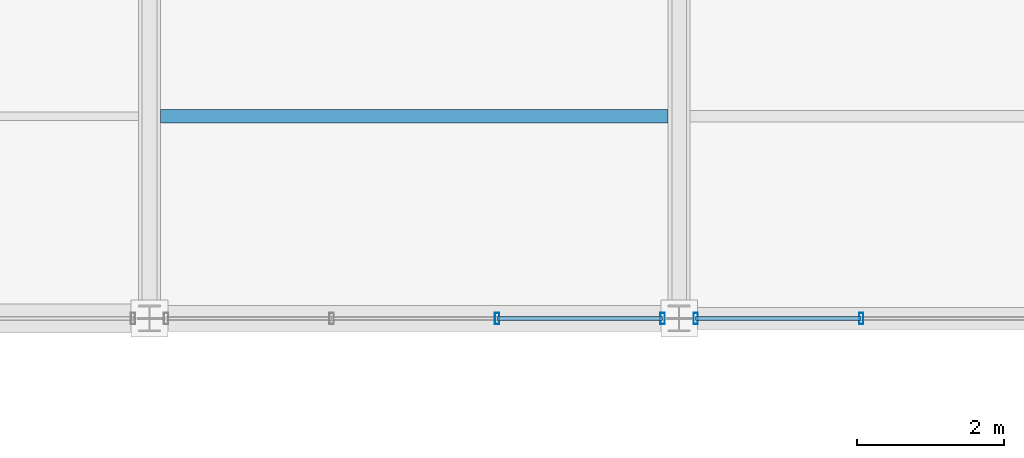
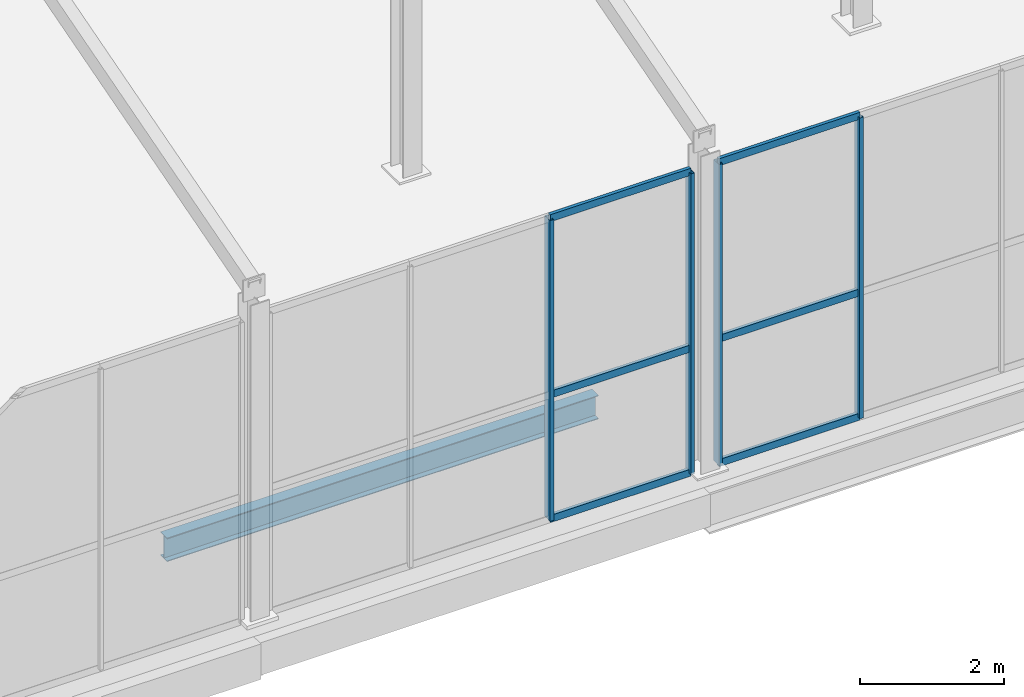
# One storey, part 25 of 141: 10 members, 1 beam, 2 elements without a shape of their own.
"""IFC4 building model written with IfcOpenShell, lengths in metres."""

import ifcopenshell
import ifcopenshell.guid

model = None  # the IFC model being written
_history = None  # IfcOwnerHistory: only IFC2X3 demands one
_inside = {}  # id of a spatial element -> (the spatial element, [elements in it])
_under = {}  # id of a project, library or spatial element -> (it, [spatial elements below it])
_declared = {}  # id of a project -> (the project, [libraries it declares])
_typed = {}  # id of a type object -> (the type object, [elements of that type])
_made_of = {}  # id of a material, layer set ... -> (it, [elements and type objects made of it])


def new_model(schema):
    """Start an empty IFC model of exactly this schema.

    Asked for "IFC4X3", IfcOpenShell would pick the latest addendum, in which some entities
    have other attributes; the version numbers below select the first issue.
    IFC2X3 requires an IfcOwnerHistory on every rooted entity: one is made here for all.
    """
    global model, _history
    if schema == "IFC4X3":
        model = ifcopenshell.file(schema_version=(4, 3, 0, 0))
    else:
        model = ifcopenshell.file(schema=schema)
    _inside.clear()
    _under.clear()
    _declared.clear()
    _typed.clear()
    _made_of.clear()
    _history = None
    if model.schema == "IFC2X3":
        org = make("IfcOrganization", Name="unknown")
        user = make(
            "IfcPersonAndOrganization",
            ThePerson=make("IfcPerson", FamilyName="unknown"),
            TheOrganization=org,
        )
        app = make(
            "IfcApplication",
            ApplicationDeveloper=org,
            Version="unknown",
            ApplicationFullName="unknown",
            ApplicationIdentifier="unknown",
        )
        _history = make(
            "IfcOwnerHistory",
            OwningUser=user,
            OwningApplication=app,
            ChangeAction="ADDED",
            CreationDate=0,
        )
    return model


def make(cls, **values):
    """One entity of the class cls with the attributes given. An attribute that is None is left unset."""
    return model.create_entity(
        cls, **{name: value for name, value in values.items() if value is not None}
    )


def rooted(cls, **values):
    """An entity with a GlobalId (a new one), such as an element, a storey or a relation."""
    return make(cls, GlobalId=ifcopenshell.guid.new(), OwnerHistory=_history, **values)


def si_unit(unit_type, name, prefix=None):
    """IfcSIUnit, for example si_unit("LENGTHUNIT", "METRE", prefix="MILLI")."""
    return make("IfcSIUnit", UnitType=unit_type, Prefix=prefix, Name=name)


def assignment(units):
    """IfcUnitAssignment: the units of a project."""
    return None if units is None else make("IfcUnitAssignment", Units=units)


def point(xyz):
    """IfcCartesianPoint."""
    return None if xyz is None else make("IfcCartesianPoint", Coordinates=xyz)


def direction(xyz):
    """IfcDirection."""
    return None if xyz is None else make("IfcDirection", DirectionRatios=xyz)


def frame(location, z_axis=None, x_axis=None):
    """IfcAxis2Placement3D, a coordinate frame: its origin and axes. An axis left out is left unset."""
    return make(
        "IfcAxis2Placement3D",
        Location=point(location),
        Axis=direction(z_axis),
        RefDirection=direction(x_axis),
    )


def frame_2d(location, x_axis=None):
    """IfcAxis2Placement2D, a coordinate frame in the plane: its origin and x axis."""
    return make(
        "IfcAxis2Placement2D", Location=point(location), RefDirection=direction(x_axis)
    )


def origin():
    """The frame at (0, 0, 0) with its axes left unset."""
    return frame((0.0, 0.0, 0.0))


def origin_2d():
    """The frame at (0, 0) in the plane with its x axis left unset."""
    return frame_2d((0.0, 0.0))


def place(relative_to, where):
    """IfcLocalPlacement: puts the frame where relative to a parent placement (None: the world)."""
    return make(
        "IfcLocalPlacement", PlacementRelTo=relative_to, RelativePlacement=where
    )


def context(
    kind, dimensions, precision=None, world=None, true_north=None, identifier=None
):
    """IfcGeometricRepresentationContext, for example the 3D "Model" context."""
    return make(
        "IfcGeometricRepresentationContext",
        ContextIdentifier=identifier,
        ContextType=kind,
        CoordinateSpaceDimension=dimensions,
        Precision=precision,
        WorldCoordinateSystem=world,
        TrueNorth=true_north,
    )


def subcontext(parent, identifier, kind, view, scale=None):
    """IfcGeometricRepresentationSubContext, for example "Body" below "Model"."""
    return make(
        "IfcGeometricRepresentationSubContext",
        ContextIdentifier=identifier,
        ContextType=kind,
        ParentContext=parent,
        TargetScale=scale,
        TargetView=view,
    )


def project(units=None, contexts=None):
    """IfcProject with its units and contexts."""
    return rooted(
        "IfcProject",
        Name="project",
        RepresentationContexts=contexts,
        UnitsInContext=assignment(units),
    )


def spatial(cls, under=None, at=None, **own):
    """A site, building, storey or space (cls), placed at a placement, below another one or the project."""
    s = rooted(cls, ObjectPlacement=at, **own)
    if under is not None:
        _under.setdefault(under.id(), (under, []))[1].append(s)
    return s


def profile(cls, at=None, kind="AREA", **sizes):
    """A parametric profile (cls). Its sizes go by their IFC names, for example OverallWidth=200.0."""
    return make(cls, ProfileType=kind, Position=at, **sizes)


def hollow_rectangle(**sizes):
    """IfcRectangleHollowProfileDef."""
    return profile("IfcRectangleHollowProfileDef", **sizes)


def i_section(**sizes):
    """IfcIShapeProfileDef."""
    return profile("IfcIShapeProfileDef", **sizes)


def extrude(swept, where, along, depth):
    """IfcExtrudedAreaSolid: the profile swept, set in the frame where, extruded along a direction by depth."""
    return make(
        "IfcExtrudedAreaSolid",
        SweptArea=swept,
        Position=where,
        ExtrudedDirection=direction(along),
        Depth=depth,
    )


def shape(context_of_items, identifier, shape_type, items):
    """IfcShapeRepresentation: the items that make up one representation, for example the "Body"."""
    return make(
        "IfcShapeRepresentation",
        ContextOfItems=context_of_items,
        RepresentationIdentifier=identifier,
        RepresentationType=shape_type,
        Items=items,
    )


def material(Name=None, Category=None):
    """IfcMaterial."""
    return make("IfcMaterial", Name=Name, Category=Category)


def layer(
    of_material, thickness, ventilated=None, Name=None, Category=None, Priority=None
):
    """IfcMaterialLayer: one layer of a wall or slab, of a material (None: an air gap)."""
    return make(
        "IfcMaterialLayer",
        Material=of_material,
        LayerThickness=thickness,
        IsVentilated=ventilated,
        Name=Name,
        Category=Category,
        Priority=Priority,
    )


def layer_set(layers, Name=None):
    """IfcMaterialLayerSet."""
    return make("IfcMaterialLayerSet", MaterialLayers=layers, LayerSetName=Name)


def material_profile(
    of_material, cross_section, Name=None, Category=None, Priority=None
):
    """IfcMaterialProfile: a cross section and its material."""
    return make(
        "IfcMaterialProfile",
        Name=Name,
        Material=of_material,
        Profile=cross_section,
        Priority=Priority,
        Category=Category,
    )


def profile_set(profiles, Name=None, composite=None):
    """IfcMaterialProfileSet."""
    return make(
        "IfcMaterialProfileSet",
        Name=Name,
        MaterialProfiles=profiles,
        CompositeProfile=composite,
    )


def made_of(thing, what):
    """Note that an element or type object is made of a material, layer set ...; save() writes the relation."""
    if what is not None:
        _made_of.setdefault(what.id(), (what, []))[1].append(thing)
    return thing


def type_object(cls, material=None, **own):
    """A type object (cls), such as IfcWallType, which elements share."""
    return made_of(rooted(cls, **own), material)


def element(
    cls,
    number,
    at=None,
    inside=None,
    cuts=None,
    type_object=None,
    material=None,
    context=None,
    identifier="Body",
    shape_type=None,
    held_by="IfcProductDefinitionShape",
    body=None,
    shapes=None,
    **own,
):
    """One element of the class cls, such as IfcWall. Its Tag is "e" and its number.

    at: its placement. inside: the storey or other place that contains it. cuts: it is an
    opening in that element (IfcRelVoidsElement). A single representation is given by context,
    identifier, shape_type and body (its items); several are given by shapes. held_by: the class
    of the entity that holds the representations. save() writes the other relations.
    """
    e = rooted(cls, Tag="e%d" % number, ObjectPlacement=at, **own)
    if body is not None:
        shapes = [shape(context, identifier, shape_type, body)]
    if shapes is not None:
        e.Representation = make(held_by, Representations=shapes)
    if inside is not None:
        _inside.setdefault(inside.id(), (inside, []))[1].append(e)
    if cuts is not None:
        rooted(
            "IfcRelVoidsElement", RelatingBuildingElement=cuts, RelatedOpeningElement=e
        )
    if type_object is not None:
        _typed.setdefault(type_object.id(), (type_object, []))[1].append(e)
    return made_of(e, material)


def aggregate(whole, parts):
    """IfcRelAggregates: a whole, such as a stair, and the parts it consists of."""
    return rooted("IfcRelAggregates", RelatingObject=whole, RelatedObjects=parts)


def save(model, path):
    """Write the relations noted so far, then the file.

    IfcRelAggregates (storeys below a building ...), IfcRelContainedInSpatialStructure (elements
    in a storey), IfcRelDefinesByType, IfcRelAssociatesMaterial and IfcRelDeclares: one each for
    every whole, place, type object, material and project.
    """
    for whole, parts in _under.values():
        aggregate(whole, parts)
    for where, things in _inside.values():
        rooted(
            "IfcRelContainedInSpatialStructure",
            RelatedElements=things,
            RelatingStructure=where,
        )
    for kind, things in _typed.values():
        rooted("IfcRelDefinesByType", RelatedObjects=things, RelatingType=kind)
    for what, things in _made_of.values():
        rooted("IfcRelAssociatesMaterial", RelatedObjects=things, RelatingMaterial=what)
    for by, libraries in _declared.values():
        rooted("IfcRelDeclares", RelatingContext=by, RelatedDefinitions=libraries)
    model.write(path)


model = new_model("IFC4")

# Units and contexts
model_context = context("Model", 3, precision=1e-05, world=origin(), true_north=direction((0.0, 1.0)))
body_context = subcontext(model_context, "Body", "Model", "MODEL_VIEW")
ifc_project = project(units=[si_unit("LENGTHUNIT", "METRE"), si_unit("AREAUNIT", "SQUARE_METRE"), si_unit("VOLUMEUNIT", "CUBIC_METRE"), si_unit("PLANEANGLEUNIT", "RADIAN"), si_unit("MASSUNIT", "GRAM", prefix="KILO")], contexts=[model_context])

# Site, building, storey
site_placement = place(None, origin())
site = spatial("IfcSite", under=ifc_project, at=site_placement, CompositionType="ELEMENT")
building_placement = place(site_placement, origin())
building = spatial("IfcBuilding", under=site, at=building_placement, Name="Sundgate Opera House", CompositionType="ELEMENT")
storey_placement = place(building_placement, frame((0.0, 0.0, 11.39990234375)))
storey = spatial("IfcBuildingStorey", under=building, at=storey_placement, Name="L02", CompositionType="ELEMENT", Elevation=11.39990234375)

# Beam
ifc_material_1 = material(Name="Steel S355J2", Category="steel")
ifc_material_profile_1 = material_profile(ifc_material_1, i_section(OverallWidth=0.179931640625, OverallDepth=0.39990234375, WebThickness=0.008544921875, FlangeThickness=0.013427734375, at=origin_2d()), Name="IPE 400")
ifc_profile_set_1 = profile_set([ifc_material_profile_1], Name="Steel S355J2")
beam_type = type_object("IfcBeamType", Name="BM-JS-IPE400", PredefinedType="JOIST", material=ifc_profile_set_1)
beam_placement = place(storey_placement, frame((117.14990234375, 11.0, -0.5498046875), z_axis=(1.0, 0.0, 0.0), x_axis=(0.0, 1.0, 0.0)))
element("IfcBeam", 1, at=beam_placement, inside=storey, type_object=beam_type, Name="L02 Secondary Floor Joist B2151", PredefinedType="JOIST", context=body_context, shape_type="SweptSolid", body=[
    extrude(i_section(OverallWidth=0.179931640625, OverallDepth=0.39990234375, WebThickness=0.008544921875, FlangeThickness=0.013427734375, at=origin_2d()), origin(), (0.0, 0.0, 1.0), 6.900146484375),
])

# Curtain wall, members
ifc_material_2 = material(Name="Anodized aluminium and low-iron glass", Category="aluminium")
ifc_layer = layer(ifc_material_2, 0.14990234375)
ifc_layer_set = layer_set([ifc_layer], Name="Anodized aluminium and low-iron glass")
curtain_wall_type = type_object("IfcCurtainWallType", Name="CW-WORKSHOP-DARK", PredefinedType="NOTDEFINED", material=ifc_layer_set)
curtain_wall_1_placement = place(storey_placement, origin())
curtain_wall_1 = element("IfcCurtainWall", 2, at=curtain_wall_1_placement, inside=storey, type_object=curtain_wall_type, Name="L02 Curtain Wall CW157", PredefinedType="NOTDEFINED")
ifc_material_3 = material(Name="Anodized aluminium EN AW-6063", Category="aluminium")
ifc_material_profile_2 = material_profile(ifc_material_3, hollow_rectangle(XDim=0.06005859375, YDim=0.14990234375, WallThickness=0.00390625, at=origin_2d()), Name="CWM 150x60x4")
ifc_profile_set_2 = profile_set([ifc_material_profile_2], Name="Anodized aluminium EN AW-6063")
member_type_1 = type_object("IfcMemberType", Name="CWM-ALU-150x60", PredefinedType="MULLION", material=ifc_profile_set_2)
member_1_placement = place(storey_placement, frame((123.97509765625, 8.25, 0.0), z_axis=(0.0, 0.0, 1.0), x_axis=(1.0, 0.0, 0.0)))
member_1 = element("IfcMember", 3, at=member_1_placement, type_object=member_type_1, Name="CW157 Mullion 1", PredefinedType="MULLION", context=body_context, shape_type="SweptSolid", body=[
    extrude(hollow_rectangle(XDim=0.06005859375, YDim=0.14990234375, WallThickness=0.00390625, at=origin_2d()), origin(), (0.0, 0.0, 1.0), 5.085205078125),
])
member_2_placement = place(storey_placement, frame((121.72509765625, 8.25, 0.0), z_axis=(0.0, 0.0, 1.0), x_axis=(1.0, 0.0, 0.0)))
member_2 = element("IfcMember", 4, at=member_2_placement, type_object=member_type_1, Name="CW157 Mullion 2", PredefinedType="MULLION", context=body_context, shape_type="SweptSolid", body=[
    extrude(hollow_rectangle(XDim=0.06005859375, YDim=0.14990234375, WallThickness=0.00390625, at=origin_2d()), origin(), (0.0, 0.0, 1.0), 5.085205078125),
])

curtain_wall_2_placement = place(storey_placement, origin())
curtain_wall_2 = element("IfcCurtainWall", 5, at=curtain_wall_2_placement, inside=storey, type_object=curtain_wall_type, Name="L02 Curtain Wall CW158", PredefinedType="NOTDEFINED")
member_3_placement = place(storey_placement, frame((126.675048828125, 8.25, 0.0), z_axis=(0.0, 0.0, 1.0), x_axis=(1.0, 0.0, 0.0)))
member_3 = element("IfcMember", 6, at=member_3_placement, type_object=member_type_1, Name="CW158 Mullion 3", PredefinedType="MULLION", context=body_context, shape_type="SweptSolid", body=[
    extrude(hollow_rectangle(XDim=0.06005859375, YDim=0.14990234375, WallThickness=0.00390625, at=origin_2d()), origin(), (0.0, 0.0, 1.0), 5.085205078125),
])
member_4_placement = place(storey_placement, frame((124.425048828125, 8.25, 0.0), z_axis=(0.0, 0.0, 1.0), x_axis=(1.0, 0.0, 0.0)))
member_4 = element("IfcMember", 7, at=member_4_placement, type_object=member_type_1, Name="CW158 Mullion 4", PredefinedType="MULLION", context=body_context, shape_type="SweptSolid", body=[
    extrude(hollow_rectangle(XDim=0.06005859375, YDim=0.14990234375, WallThickness=0.00390625, at=origin_2d()), origin(), (0.0, 0.0, 1.0), 5.085205078125),
])

# Member
ifc_material_4 = material(Name="Anodized aluminium EN AW-6063", Category="aluminium")
ifc_material_profile_3 = material_profile(ifc_material_4, hollow_rectangle(XDim=0.054931640625, YDim=0.1201171875, WallThickness=0.00390625, at=origin_2d()), Name="CWT 120x55x4")
ifc_profile_set_3 = profile_set([ifc_material_profile_3], Name="Anodized aluminium EN AW-6063")
member_type_2 = type_object("IfcMemberType", Name="CWT-ALU-120x55", PredefinedType="USERDEFINED", material=ifc_profile_set_3)
member_5_placement = place(storey_placement, frame((123.97509765625, 8.25, 0.0), z_axis=(-1.0, 0.0, 0.0), x_axis=(0.0, -1.0, 0.0)))
member_5 = element("IfcMember", 8, at=member_5_placement, type_object=member_type_2, Name="CW157 Transom 1", ObjectType="TRANSOM", PredefinedType="USERDEFINED", context=body_context, shape_type="SweptSolid", body=[
    extrude(hollow_rectangle(XDim=0.054931640625, YDim=0.1201171875, WallThickness=0.00390625, at=origin_2d()), origin(), (0.0, 0.0, 1.0), 2.25),
])

member_6_placement = place(storey_placement, frame((123.97509765625, 8.25, 2.10009765625), z_axis=(-1.0, 0.0, 0.0), x_axis=(0.0, -1.0, 0.0)))
member_6 = element("IfcMember", 9, at=member_6_placement, type_object=member_type_2, Name="CW157 Transom 2", ObjectType="TRANSOM", PredefinedType="USERDEFINED", context=body_context, shape_type="SweptSolid", body=[
    extrude(hollow_rectangle(XDim=0.054931640625, YDim=0.1201171875, WallThickness=0.00390625, at=origin_2d()), origin(), (0.0, 0.0, 1.0), 2.25),
])

member_7_placement = place(storey_placement, frame((123.97509765625, 8.25, 5.085205078125), z_axis=(-1.0, 0.0, 0.0), x_axis=(0.0, -1.0, 0.0)))
member_7 = element("IfcMember", 10, at=member_7_placement, type_object=member_type_2, Name="CW157 Transom 3", ObjectType="TRANSOM", PredefinedType="USERDEFINED", context=body_context, shape_type="SweptSolid", body=[
    extrude(hollow_rectangle(XDim=0.054931640625, YDim=0.1201171875, WallThickness=0.00390625, at=origin_2d()), origin(), (0.0, 0.0, 1.0), 2.25),
])

aggregate(curtain_wall_1, [member_1, member_2, member_5, member_6, member_7])

member_8_placement = place(storey_placement, frame((126.675048828125, 8.25, 0.0), z_axis=(-1.0, 0.0, 0.0), x_axis=(0.0, -1.0, 0.0)))
member_8 = element("IfcMember", 11, at=member_8_placement, type_object=member_type_2, Name="CW158 Transom 7", ObjectType="TRANSOM", PredefinedType="USERDEFINED", context=body_context, shape_type="SweptSolid", body=[
    extrude(hollow_rectangle(XDim=0.054931640625, YDim=0.1201171875, WallThickness=0.00390625, at=origin_2d()), origin(), (0.0, 0.0, 1.0), 2.25),
])

member_9_placement = place(storey_placement, frame((126.675048828125, 8.25, 2.10009765625), z_axis=(-1.0, 0.0, 0.0), x_axis=(0.0, -1.0, 0.0)))
member_9 = element("IfcMember", 12, at=member_9_placement, type_object=member_type_2, Name="CW158 Transom 8", ObjectType="TRANSOM", PredefinedType="USERDEFINED", context=body_context, shape_type="SweptSolid", body=[
    extrude(hollow_rectangle(XDim=0.054931640625, YDim=0.1201171875, WallThickness=0.00390625, at=origin_2d()), origin(), (0.0, 0.0, 1.0), 2.25),
])

member_10_placement = place(storey_placement, frame((126.675048828125, 8.25, 5.085205078125), z_axis=(-1.0, 0.0, 0.0), x_axis=(0.0, -1.0, 0.0)))
member_10 = element("IfcMember", 13, at=member_10_placement, type_object=member_type_2, Name="CW158 Transom 9", ObjectType="TRANSOM", PredefinedType="USERDEFINED", context=body_context, shape_type="SweptSolid", body=[
    extrude(hollow_rectangle(XDim=0.054931640625, YDim=0.1201171875, WallThickness=0.00390625, at=origin_2d()), origin(), (0.0, 0.0, 1.0), 2.25),
])

aggregate(curtain_wall_2, [member_3, member_4, member_8, member_9, member_10])

save(model, "model.ifc")
